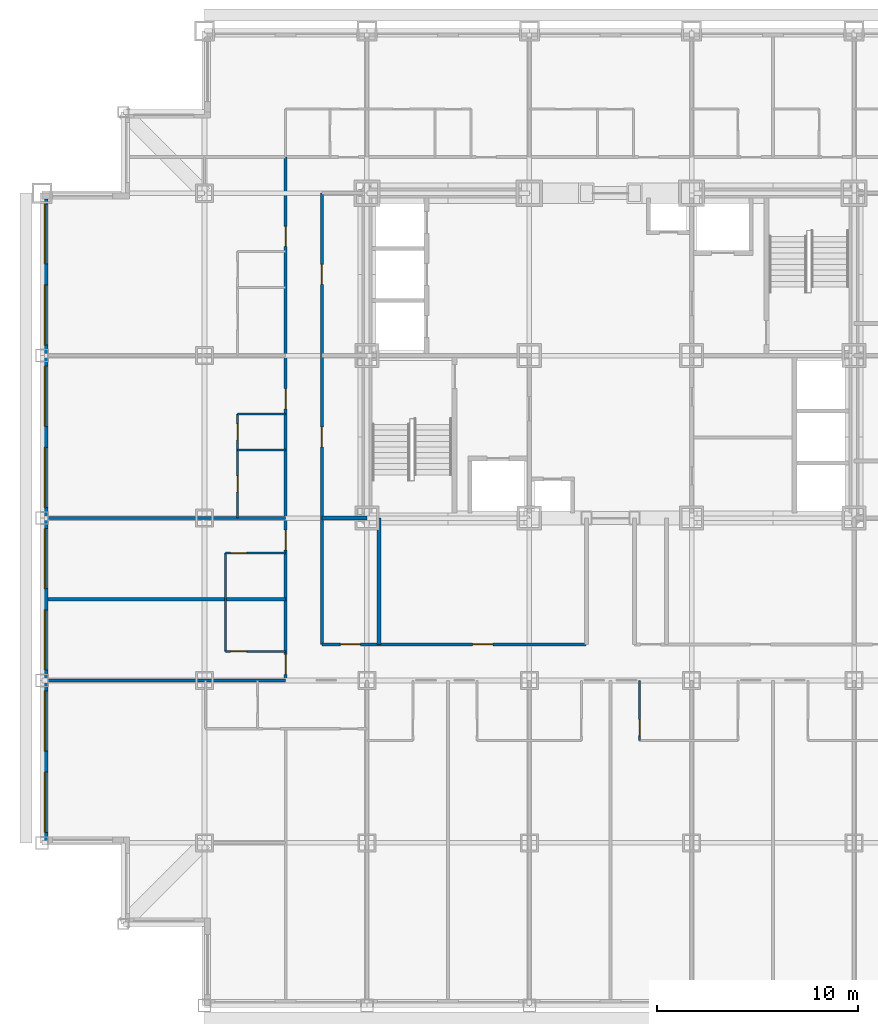
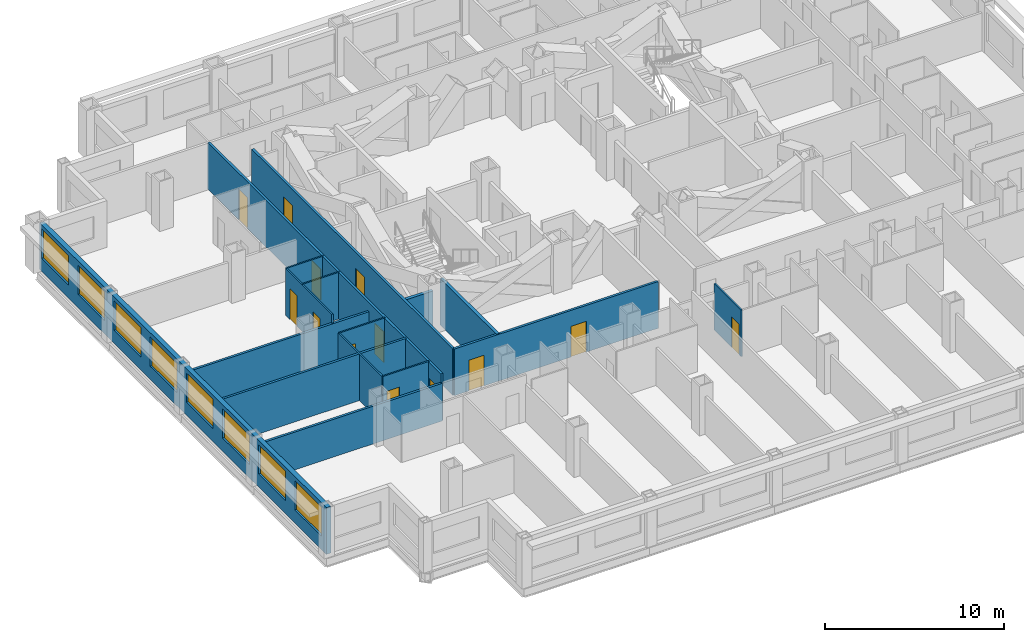
# One storey, part 4 of 11: 16 walls, 13 doors, 8 windows, 21 openings.
"""IFC4 building model written with IfcOpenShell, lengths in metres."""

from ifc_helpers import new_model, si_unit, direction, frame, frame_2d, origin, place, context, subcontext, project, spatial, rectangle, extrude, material, layer, layer_set, type_object, element, fill, save


model = new_model("IFC4")

# Units and contexts
model_context = context("Model", 3, precision=1e-05, world=origin(), true_north=direction((0.0, 1.0)))
body_context = subcontext(model_context, "Body", "Model", "MODEL_VIEW")
ifc_project = project(units=[si_unit("LENGTHUNIT", "METRE"), si_unit("AREAUNIT", "SQUARE_METRE"), si_unit("VOLUMEUNIT", "CUBIC_METRE"), si_unit("PLANEANGLEUNIT", "RADIAN"), si_unit("MASSUNIT", "GRAM", prefix="KILO")], contexts=[model_context])

# Site, building, storey
site_placement = place(None, origin())
site = spatial("IfcSite", under=ifc_project, at=site_placement, CompositionType="ELEMENT")
building_placement = place(site_placement, origin())
building = spatial("IfcBuilding", under=site, at=building_placement, Name="Kopane Lantern Tower", CompositionType="ELEMENT")
storey_placement = place(building_placement, frame((0.0, 0.0, 73.800048828125)))
storey = spatial("IfcBuildingStorey", under=building, at=storey_placement, Name="L18", CompositionType="ELEMENT", Elevation=73.800048828125)

# Wall, opening, door
ifc_material_1 = material(Name="Moisture-resistant board on steel studs", Category="steel")
ifc_layer_1 = layer(ifc_material_1, 0.10009765625)
ifc_layer_set_1 = layer_set([ifc_layer_1], Name="BATHROOM WALL 100")
wall_type_1 = type_object("IfcWallType", Name="BATHROOM WALL 100", PredefinedType="PARTITIONING", material=ifc_layer_set_1)
wall_1_placement = place(storey_placement, frame((29.800048828125, 16.199951171875, 0.0), z_axis=(0.0, 0.0, 1.0), x_axis=(0.0, -1.0, 0.0)))
wall_1 = element("IfcWall", 1, at=wall_1_placement, inside=storey, type_object=wall_type_1, Name="Bathroom Wall 100 L18", PredefinedType="PARTITIONING", context=body_context, shape_type="SweptSolid", body=[
    extrude(rectangle(XDim=3.0, YDim=0.10009765625, at=frame_2d((1.5, 0.0))), origin(), (0.0, 0.0, 1.0), 3.18994140625),
])
opening_1_placement = place(wall_1_placement, frame((1.949951171875, 0.0, 0.0)))
opening_1 = element("IfcOpeningElement", 2, at=opening_1_placement, cuts=wall_1, Name="Opening L18-019", PredefinedType="OPENING", context=body_context, shape_type="SweptSolid", body=[
    extrude(rectangle(XDim=0.800048828125, YDim=2.10009765625, at=frame_2d((0.39990234375, 1.050048828125))), frame((0.0, 0.06005859375, 0.0), z_axis=(0.0, -1.0, 0.0), x_axis=(1.0, 0.0, 0.0)), (0.0, 0.0, 1.0), 0.1201171875),
])
ifc_material_2 = material(Name="Timber door set", Category="wood")
door_type_1 = type_object("IfcDoorType", Name="DOOR D2 800x2100", OperationType="SINGLE_SWING_LEFT", PredefinedType="DOOR", material=ifc_material_2)
door_1_placement = place(opening_1_placement, origin())
door_1 = element("IfcDoor", 3, at=door_1_placement, inside=storey, type_object=door_type_1, Name="Door L18-019", OperationType="SINGLE_SWING_RIGHT", OverallHeight=2.10009765625, OverallWidth=0.800048828125, PredefinedType="DOOR", context=body_context, shape_type="SweptSolid", body=[
    extrude(rectangle(XDim=0.800048828125, YDim=2.10009765625, at=frame_2d((0.39990234375, 1.050048828125))), frame((0.0, 0.02490234375, 0.0), z_axis=(0.0, -1.0, 0.0), x_axis=(1.0, 0.0, 0.0)), (0.0, 0.0, 1.0), 0.050048828125),
])
fill(opening_1, door_1)

# Wall
wall_2_placement = place(storey_placement, frame((9.14990234375, 17.64990234375, 0.0), z_axis=(0.0, 0.0, 1.0), x_axis=(0.0, 1.0, 0.0)))
element("IfcWall", 4, at=wall_2_placement, inside=storey, type_object=wall_type_1, Name="Bathroom Wall 100 L18", PredefinedType="PARTITIONING", context=body_context, shape_type="SweptSolid", body=[
    extrude(rectangle(XDim=4.900146484375, YDim=0.10009765625, at=frame_2d((2.4501953125, 0.0))), origin(), (0.0, 0.0, 1.0), 3.18994140625),
])

# Wall, opening, door
wall_3_placement = place(storey_placement, frame((12.14990234375, 17.64990234375, 0.0), z_axis=(0.0, 0.0, 1.0), x_axis=(-1.0, 0.0, 0.0)))
wall_3 = element("IfcWall", 5, at=wall_3_placement, inside=storey, type_object=wall_type_1, Name="Bathroom Wall 100 L18", PredefinedType="PARTITIONING", context=body_context, shape_type="SweptSolid", body=[
    extrude(rectangle(XDim=3.0, YDim=0.10009765625, at=frame_2d((1.5, 0.0))), origin(), (0.0, 0.0, 1.0), 3.18994140625),
])
opening_2_placement = place(wall_3_placement, frame((1.949951171875, 0.0, 0.0)))
opening_2 = element("IfcOpeningElement", 6, at=opening_2_placement, cuts=wall_3, Name="Opening L18-039", PredefinedType="OPENING", context=body_context, shape_type="SweptSolid", body=[
    extrude(rectangle(XDim=0.800048828125, YDim=2.10009765625, at=frame_2d((0.39990234375, 1.050048828125))), frame((0.0, 0.06005859375, 0.0), z_axis=(0.0, -1.0, 0.0), x_axis=(1.0, 0.0, 0.0)), (0.0, 0.0, 1.0), 0.1201171875),
])
door_2_placement = place(opening_2_placement, origin())
door_2 = element("IfcDoor", 7, at=door_2_placement, inside=storey, type_object=door_type_1, Name="Door L18-039", OperationType="SINGLE_SWING_LEFT", OverallHeight=2.10009765625, OverallWidth=0.800048828125, PredefinedType="DOOR", context=body_context, shape_type="SweptSolid", body=[
    extrude(rectangle(XDim=0.800048828125, YDim=2.10009765625, at=frame_2d((0.39990234375, 1.050048828125))), frame((0.0, 0.02490234375, 0.0), z_axis=(0.0, -1.0, 0.0), x_axis=(1.0, 0.0, 0.0)), (0.0, 0.0, 1.0), 0.050048828125),
])
fill(opening_2, door_2)

wall_4_placement = place(storey_placement, frame((12.14990234375, 22.550048828125, 0.0), z_axis=(0.0, 0.0, 1.0), x_axis=(-1.0, 0.0, 0.0)))
wall_4 = element("IfcWall", 8, at=wall_4_placement, inside=storey, type_object=wall_type_1, Name="Bathroom Wall 100 L18", PredefinedType="PARTITIONING", context=body_context, shape_type="SweptSolid", body=[
    extrude(rectangle(XDim=3.0, YDim=0.10009765625, at=frame_2d((1.5, 0.0))), origin(), (0.0, 0.0, 1.0), 3.18994140625),
])
opening_3_placement = place(wall_4_placement, frame((1.949951171875, 0.0, 0.0)))
opening_3 = element("IfcOpeningElement", 9, at=opening_3_placement, cuts=wall_4, Name="Opening L18-041", PredefinedType="OPENING", context=body_context, shape_type="SweptSolid", body=[
    extrude(rectangle(XDim=0.800048828125, YDim=2.10009765625, at=frame_2d((0.39990234375, 1.050048828125))), frame((0.0, 0.06005859375, 0.0), z_axis=(0.0, -1.0, 0.0), x_axis=(1.0, 0.0, 0.0)), (0.0, 0.0, 1.0), 0.1201171875),
])
door_3_placement = place(opening_3_placement, origin())
door_3 = element("IfcDoor", 10, at=door_3_placement, inside=storey, type_object=door_type_1, Name="Door L18-041", OperationType="SINGLE_SWING_RIGHT", OverallHeight=2.10009765625, OverallWidth=0.800048828125, PredefinedType="DOOR", context=body_context, shape_type="SweptSolid", body=[
    extrude(rectangle(XDim=0.800048828125, YDim=2.10009765625, at=frame_2d((0.39990234375, 1.050048828125))), frame((0.0, 0.02490234375, 0.0), z_axis=(0.0, -1.0, 0.0), x_axis=(1.0, 0.0, 0.0)), (0.0, 0.0, 1.0), 0.050048828125),
])
fill(opening_3, door_3)

# Wall, openings, doors
wall_5_placement = place(storey_placement, frame((9.75, 24.300048828125, 0.0), z_axis=(0.0, 0.0, 1.0), x_axis=(0.0, 1.0, 0.0)))
wall_5 = element("IfcWall", 11, at=wall_5_placement, inside=storey, type_object=wall_type_1, Name="Bathroom Wall 100 L18", PredefinedType="PARTITIONING", context=body_context, shape_type="SweptSolid", body=[
    extrude(rectangle(XDim=5.199951171875, YDim=0.10009765625, at=frame_2d((2.60009765625, 0.0))), origin(), (0.0, 0.0, 1.0), 3.18994140625),
])
opening_4_placement = place(wall_5_placement, frame((1.300048828125, 0.0, 0.0)))
opening_4 = element("IfcOpeningElement", 12, at=opening_4_placement, cuts=wall_5, Name="Opening L18-043", PredefinedType="OPENING", context=body_context, shape_type="SweptSolid", body=[
    extrude(rectangle(XDim=0.800048828125, YDim=2.10009765625, at=frame_2d((0.39990234375, 1.050048828125))), frame((0.0, 0.06005859375, 0.0), z_axis=(0.0, -1.0, 0.0), x_axis=(1.0, 0.0, 0.0)), (0.0, 0.0, 1.0), 0.1201171875),
])
opening_5_placement = place(wall_5_placement, frame((3.89990234375, 0.0, 0.0)))
opening_5 = element("IfcOpeningElement", 13, at=opening_5_placement, cuts=wall_5, Name="Opening L18-044", PredefinedType="OPENING", context=body_context, shape_type="SweptSolid", body=[
    extrude(rectangle(XDim=0.800048828125, YDim=2.10009765625, at=frame_2d((0.39990234375, 1.050048828125))), frame((0.0, 0.06005859375, 0.0), z_axis=(0.0, -1.0, 0.0), x_axis=(1.0, 0.0, 0.0)), (0.0, 0.0, 1.0), 0.1201171875),
])
door_4_placement = place(opening_4_placement, origin())
door_4 = element("IfcDoor", 14, at=door_4_placement, inside=storey, type_object=door_type_1, Name="Door L18-043", OperationType="SINGLE_SWING_LEFT", OverallHeight=2.10009765625, OverallWidth=0.800048828125, PredefinedType="DOOR", context=body_context, shape_type="SweptSolid", body=[
    extrude(rectangle(XDim=0.800048828125, YDim=2.10009765625, at=frame_2d((0.39990234375, 1.050048828125))), frame((0.0, 0.02490234375, 0.0), z_axis=(0.0, -1.0, 0.0), x_axis=(1.0, 0.0, 0.0)), (0.0, 0.0, 1.0), 0.050048828125),
])
fill(opening_4, door_4)
door_5_placement = place(opening_5_placement, origin())
door_5 = element("IfcDoor", 15, at=door_5_placement, inside=storey, type_object=door_type_1, Name="Door L18-044", OperationType="SINGLE_SWING_LEFT", OverallHeight=2.10009765625, OverallWidth=0.800048828125, PredefinedType="DOOR", context=body_context, shape_type="SweptSolid", body=[
    extrude(rectangle(XDim=0.800048828125, YDim=2.10009765625, at=frame_2d((0.39990234375, 1.050048828125))), frame((0.0, 0.02490234375, 0.0), z_axis=(0.0, -1.0, 0.0), x_axis=(1.0, 0.0, 0.0)), (0.0, 0.0, 1.0), 0.050048828125),
])
fill(opening_5, door_5)

# Walls
for number, where, z_axis, x_axis, name in (
    (16, (12.14990234375, 27.699951171875, 0.0), (0.0, 0.0, 1.0), (-1.0, 0.0, 0.0), "Bathroom Wall 100 L18"),
    (17, (12.14990234375, 29.5, 0.0), (0.0, 0.0, 1.0), (-1.0, 0.0, 0.0), "Bathroom Wall 100 L18"),
):
    element("IfcWall", number, at=place(storey_placement, frame(where, z_axis=z_axis, x_axis=x_axis)), inside=storey, type_object=wall_type_1, Name=name, PredefinedType="PARTITIONING", context=body_context, shape_type="SweptSolid", body=[
        extrude(rectangle(XDim=2.39990234375, YDim=0.10009765625, at=frame_2d((1.199951171875, 0.0))), origin(), (0.0, 0.0, 1.0), 3.18994140625),
    ])

# Wall, openings, doors
ifc_material_3 = material(Name="Gypsum board on steel studs", Category="steel")
ifc_layer_2 = layer(ifc_material_3, 0.14990234375)
ifc_layer_set_2 = layer_set([ifc_layer_2], Name="CORRIDOR WALL 150 EI 60")
wall_type_2 = type_object("IfcWallType", Name="CORRIDOR WALL 150 EI 60", PredefinedType="PARTITIONING", material=ifc_layer_set_2)
wall_6_placement = place(storey_placement, frame((12.14990234375, 16.199951171875, 0.0), z_axis=(0.0, 0.0, 1.0), x_axis=(0.0, 1.0, 0.0)))
wall_6 = element("IfcWall", 18, at=wall_6_placement, inside=storey, type_object=wall_type_2, Name="Corridor Wall 150 Ei 60 L18", PredefinedType="PARTITIONING", context=body_context, shape_type="SweptSolid", body=[
    extrude(rectangle(XDim=26.10009765625, YDim=0.14990234375, at=frame_2d((13.050048828125, 0.0))), origin(), (0.0, 0.0, 1.0), 3.18994140625),
])
opening_6_placement = place(wall_6_placement, frame((0.300048828125, 0.0, 0.0)))
opening_6 = element("IfcOpeningElement", 19, at=opening_6_placement, cuts=wall_6, Name="Opening L18-040", PredefinedType="OPENING", context=body_context, shape_type="SweptSolid", body=[
    extrude(rectangle(XDim=1.0, YDim=2.10009765625, at=frame_2d((0.5, 1.050048828125))), frame((0.0, 0.0849609375, 0.0), z_axis=(0.0, -1.0, 0.0), x_axis=(1.0, 0.0, 0.0)), (0.0, 0.0, 1.0), 0.169921875),
])
opening_7_placement = place(wall_6_placement, frame((6.5, 0.0, 0.0)))
opening_7 = element("IfcOpeningElement", 20, at=opening_7_placement, cuts=wall_6, Name="Opening L18-042", PredefinedType="OPENING", context=body_context, shape_type="SweptSolid", body=[
    extrude(rectangle(XDim=1.0, YDim=2.10009765625, at=frame_2d((0.5, 1.050048828125))), frame((0.0, 0.0849609375, 0.0), z_axis=(0.0, -1.0, 0.0), x_axis=(1.0, 0.0, 0.0)), (0.0, 0.0, 1.0), 0.169921875),
])
opening_8_placement = place(wall_6_placement, frame((13.550048828125, 0.0, 0.0)))
opening_8 = element("IfcOpeningElement", 21, at=opening_8_placement, cuts=wall_6, Name="Opening L18-045", PredefinedType="OPENING", context=body_context, shape_type="SweptSolid", body=[
    extrude(rectangle(XDim=1.0, YDim=2.10009765625, at=frame_2d((0.5, 1.050048828125))), frame((0.0, 0.0849609375, 0.0), z_axis=(0.0, -1.0, 0.0), x_axis=(1.0, 0.0, 0.0)), (0.0, 0.0, 1.0), 0.169921875),
])
opening_9_placement = place(wall_6_placement, frame((21.64990234375, 0.0, 0.0)))
opening_9 = element("IfcOpeningElement", 22, at=opening_9_placement, cuts=wall_6, Name="Opening L18-048", PredefinedType="OPENING", context=body_context, shape_type="SweptSolid", body=[
    extrude(rectangle(XDim=1.0, YDim=2.10009765625, at=frame_2d((0.5, 1.050048828125))), frame((0.0, 0.0849609375, 0.0), z_axis=(0.0, -1.0, 0.0), x_axis=(1.0, 0.0, 0.0)), (0.0, 0.0, 1.0), 0.169921875),
])
ifc_material_4 = material(Name="Steel door set", Category="steel")
door_type_2 = type_object("IfcDoorType", Name="DOOR D1 1000x2100 FD30S", OperationType="SINGLE_SWING_LEFT", PredefinedType="DOOR", material=ifc_material_4)
door_6_placement = place(opening_6_placement, origin())
door_6 = element("IfcDoor", 23, at=door_6_placement, inside=storey, type_object=door_type_2, Name="Door L18-040", OperationType="SINGLE_SWING_RIGHT", OverallHeight=2.10009765625, OverallWidth=1.0, PredefinedType="DOOR", context=body_context, shape_type="SweptSolid", body=[
    extrude(rectangle(XDim=1.0, YDim=2.10009765625, at=frame_2d((0.5, 1.050048828125))), frame((0.0, 0.02490234375, 0.0), z_axis=(0.0, -1.0, 0.0), x_axis=(1.0, 0.0, 0.0)), (0.0, 0.0, 1.0), 0.050048828125),
])
fill(opening_6, door_6)
door_7_placement = place(opening_7_placement, origin())
door_7 = element("IfcDoor", 24, at=door_7_placement, inside=storey, type_object=door_type_2, Name="Door L18-042", OperationType="SINGLE_SWING_LEFT", OverallHeight=2.10009765625, OverallWidth=1.0, PredefinedType="DOOR", context=body_context, shape_type="SweptSolid", body=[
    extrude(rectangle(XDim=1.0, YDim=2.10009765625, at=frame_2d((0.5, 1.050048828125))), frame((0.0, 0.02490234375, 0.0), z_axis=(0.0, -1.0, 0.0), x_axis=(1.0, 0.0, 0.0)), (0.0, 0.0, 1.0), 0.050048828125),
])
fill(opening_7, door_7)
door_8_placement = place(opening_8_placement, origin())
door_8 = element("IfcDoor", 25, at=door_8_placement, inside=storey, type_object=door_type_2, Name="Door L18-045", OperationType="SINGLE_SWING_LEFT", OverallHeight=2.10009765625, OverallWidth=1.0, PredefinedType="DOOR", context=body_context, shape_type="SweptSolid", body=[
    extrude(rectangle(XDim=1.0, YDim=2.10009765625, at=frame_2d((0.5, 1.050048828125))), frame((0.0, 0.02490234375, 0.0), z_axis=(0.0, -1.0, 0.0), x_axis=(1.0, 0.0, 0.0)), (0.0, 0.0, 1.0), 0.050048828125),
])
fill(opening_8, door_8)
door_9_placement = place(opening_9_placement, origin())
door_9 = element("IfcDoor", 26, at=door_9_placement, inside=storey, type_object=door_type_2, Name="Door L18-048", OperationType="SINGLE_SWING_LEFT", OverallHeight=2.10009765625, OverallWidth=1.0, PredefinedType="DOOR", context=body_context, shape_type="SweptSolid", body=[
    extrude(rectangle(XDim=1.0, YDim=2.10009765625, at=frame_2d((0.5, 1.050048828125))), frame((0.0, 0.02490234375, 0.0), z_axis=(0.0, -1.0, 0.0), x_axis=(1.0, 0.0, 0.0)), (0.0, 0.0, 1.0), 0.050048828125),
])
fill(opening_9, door_9)

wall_7_placement = place(storey_placement, frame((13.949951171875, 40.5, 0.0), z_axis=(0.0, 0.0, 1.0), x_axis=(0.0, -1.0, 0.0)))
wall_7 = element("IfcWall", 27, at=wall_7_placement, inside=storey, type_object=wall_type_2, Name="Corridor Wall 150 Ei 60 L18", PredefinedType="PARTITIONING", context=body_context, shape_type="SweptSolid", body=[
    extrude(rectangle(XDim=22.5, YDim=0.14990234375, at=frame_2d((11.25, 0.0))), origin(), (0.0, 0.0, 1.0), 3.18994140625),
])
opening_10_placement = place(wall_7_placement, frame((11.64990234375, 0.0, 0.0)))
opening_10 = element("IfcOpeningElement", 28, at=opening_10_placement, cuts=wall_7, Name="Opening L18-001", PredefinedType="OPENING", context=body_context, shape_type="SweptSolid", body=[
    extrude(rectangle(XDim=1.0, YDim=2.10009765625, at=frame_2d((0.5, 1.050048828125))), frame((0.0, 0.0849609375, 0.0), z_axis=(0.0, -1.0, 0.0), x_axis=(1.0, 0.0, 0.0)), (0.0, 0.0, 1.0), 0.169921875),
])
opening_11_placement = place(wall_7_placement, frame((3.550048828125, 0.0, 0.0)))
opening_11 = element("IfcOpeningElement", 29, at=opening_11_placement, cuts=wall_7, Name="Opening L18-002", PredefinedType="OPENING", context=body_context, shape_type="SweptSolid", body=[
    extrude(rectangle(XDim=1.0, YDim=2.10009765625, at=frame_2d((0.5, 1.050048828125))), frame((0.0, 0.0849609375, 0.0), z_axis=(0.0, -1.0, 0.0), x_axis=(1.0, 0.0, 0.0)), (0.0, 0.0, 1.0), 0.169921875),
])
ifc_material_5 = material(Name="Steel door set", Category="steel")
door_type_3 = type_object("IfcDoorType", Name="DOOR D5 1000x2100 FD60", OperationType="SINGLE_SWING_LEFT", PredefinedType="DOOR", material=ifc_material_5)
door_10_placement = place(opening_10_placement, origin())
door_10 = element("IfcDoor", 30, at=door_10_placement, inside=storey, type_object=door_type_3, Name="Door L18-001", OperationType="SINGLE_SWING_RIGHT", OverallHeight=2.10009765625, OverallWidth=1.0, PredefinedType="DOOR", context=body_context, shape_type="SweptSolid", body=[
    extrude(rectangle(XDim=1.0, YDim=2.10009765625, at=frame_2d((0.5, 1.050048828125))), frame((0.0, 0.02490234375, 0.0), z_axis=(0.0, -1.0, 0.0), x_axis=(1.0, 0.0, 0.0)), (0.0, 0.0, 1.0), 0.050048828125),
])
fill(opening_10, door_10)
door_11_placement = place(opening_11_placement, origin())
door_11 = element("IfcDoor", 31, at=door_11_placement, inside=storey, type_object=door_type_3, Name="Door L18-002", OperationType="SINGLE_SWING_LEFT", OverallHeight=2.10009765625, OverallWidth=1.0, PredefinedType="DOOR", context=body_context, shape_type="SweptSolid", body=[
    extrude(rectangle(XDim=1.0, YDim=2.10009765625, at=frame_2d((0.5, 1.050048828125))), frame((0.0, 0.02490234375, 0.0), z_axis=(0.0, -1.0, 0.0), x_axis=(1.0, 0.0, 0.0)), (0.0, 0.0, 1.0), 0.050048828125),
])
fill(opening_11, door_11)

wall_8_placement = place(storey_placement, frame((13.949951171875, 18.0, 0.0), z_axis=(0.0, 0.0, 1.0), x_axis=(1.0, 0.0, 0.0)))
wall_8 = element("IfcWall", 32, at=wall_8_placement, inside=storey, type_object=wall_type_2, Name="Corridor Wall 150 Ei 60 L18", PredefinedType="PARTITIONING", context=body_context, shape_type="SweptSolid", body=[
    extrude(rectangle(XDim=13.18994140625, YDim=0.14990234375, at=frame_2d((6.594970703125, 0.0))), origin(), (0.0, 0.0, 1.0), 3.18994140625),
])
opening_12_placement = place(wall_8_placement, frame((0.9287109375, 0.0, 0.0)))
opening_12 = element("IfcOpeningElement", 33, at=opening_12_placement, cuts=wall_8, Name="Opening L18-007", PredefinedType="OPENING", context=body_context, shape_type="SweptSolid", body=[
    extrude(rectangle(XDim=1.0, YDim=2.10009765625, at=frame_2d((0.5, 1.050048828125))), frame((0.0, 0.0849609375, 0.0), z_axis=(0.0, -1.0, 0.0), x_axis=(1.0, 0.0, 0.0)), (0.0, 0.0, 1.0), 0.169921875),
])
opening_13_placement = place(wall_8_placement, frame((7.528564453125, 0.0, 0.0)))
opening_13 = element("IfcOpeningElement", 34, at=opening_13_placement, cuts=wall_8, Name="Opening L18-008", PredefinedType="OPENING", context=body_context, shape_type="SweptSolid", body=[
    extrude(rectangle(XDim=1.0, YDim=2.10009765625, at=frame_2d((0.5, 1.050048828125))), frame((0.0, 0.0849609375, 0.0), z_axis=(0.0, -1.0, 0.0), x_axis=(1.0, 0.0, 0.0)), (0.0, 0.0, 1.0), 0.169921875),
])
door_12_placement = place(opening_12_placement, origin())
door_12 = element("IfcDoor", 35, at=door_12_placement, inside=storey, type_object=door_type_3, Name="Door L18-007", OperationType="SINGLE_SWING_LEFT", OverallHeight=2.10009765625, OverallWidth=1.0, PredefinedType="DOOR", context=body_context, shape_type="SweptSolid", body=[
    extrude(rectangle(XDim=1.0, YDim=2.10009765625, at=frame_2d((0.5, 1.050048828125))), frame((0.0, 0.02490234375, 0.0), z_axis=(0.0, -1.0, 0.0), x_axis=(1.0, 0.0, 0.0)), (0.0, 0.0, 1.0), 0.050048828125),
])
fill(opening_12, door_12)
door_13_placement = place(opening_13_placement, origin())
door_13 = element("IfcDoor", 36, at=door_13_placement, inside=storey, type_object=door_type_3, Name="Door L18-008", OperationType="SINGLE_SWING_RIGHT", OverallHeight=2.10009765625, OverallWidth=1.0, PredefinedType="DOOR", context=body_context, shape_type="SweptSolid", body=[
    extrude(rectangle(XDim=1.0, YDim=2.10009765625, at=frame_2d((0.5, 1.050048828125))), frame((0.0, 0.02490234375, 0.0), z_axis=(0.0, -1.0, 0.0), x_axis=(1.0, 0.0, 0.0)), (0.0, 0.0, 1.0), 0.050048828125),
])
fill(opening_13, door_13)

# Walls
ifc_material_6 = material(Name="Gypsum board on steel studs", Category="steel")
ifc_layer_3 = layer(ifc_material_6, 0.14990234375)
ifc_layer_set_3 = layer_set([ifc_layer_3], Name="DEMISING WALL 150 EI 60")
wall_type_3 = type_object("IfcWallType", Name="DEMISING WALL 150 EI 60", PredefinedType="PARTITIONING", material=ifc_layer_set_3)
wall_9_placement = place(storey_placement, frame((12.14990234375, 20.25, 0.0), z_axis=(0.0, 0.0, 1.0), x_axis=(-1.0, 0.0, 0.0)))
element("IfcWall", 37, at=wall_9_placement, inside=storey, type_object=wall_type_3, Name="Demising Wall 150 Ei 60 L18", PredefinedType="PARTITIONING", context=body_context, shape_type="SweptSolid", body=[
    extrude(rectangle(XDim=11.849853515625, YDim=0.14990234375, at=frame_2d((5.9248046875, 0.0))), origin(), (0.0, 0.0, 1.0), 3.18994140625),
])
for number, where, z_axis, x_axis, name in (
    (38, (12.14990234375, 24.300048828125, 0.0), (0.0, 0.0, 1.0), (-1.0, 0.0, 0.0), "Demising Wall 150 Ei 60 L18"),
    (39, (0.300048828125, 16.199951171875, 0.0), (0.0, 0.0, 1.0), (1.0, 0.0, 0.0), "Demising Wall 150 Ei 60 L18"),
):
    element("IfcWall", number, at=place(storey_placement, frame(where, z_axis=z_axis, x_axis=x_axis)), inside=storey, type_object=wall_type_3, Name=name, PredefinedType="PARTITIONING", context=body_context, shape_type="SweptSolid", body=[
        extrude(rectangle(XDim=11.849853515625, YDim=0.14990234375, at=frame_2d((5.9248046875, 0.0))), origin(), (0.0, 0.0, 1.0), 2.57763671875),
    ])

# Wall, openings, windows
ifc_material_7 = material(Name="Terracotta rainscreen on light steel framing", Category="masonry")
ifc_layer_4 = layer(ifc_material_7, 0.300048828125)
ifc_layer_set_4 = layer_set([ifc_layer_4], Name="EXTERNAL WALL EW1 300 TERRACOTTA")
wall_type_4 = type_object("IfcWallType", Name="EXTERNAL WALL EW1 300 TERRACOTTA", PredefinedType="SOLIDWALL", material=ifc_layer_set_4)
wall_10_placement = place(storey_placement, frame((0.14990234375, 40.199951171875, 0.0), z_axis=(0.0, 0.0, 1.0), x_axis=(0.0, -1.0, 0.0)))
wall_10 = element("IfcWall", 40, at=wall_10_placement, inside=storey, type_object=wall_type_4, Name="External wall W L18", PredefinedType="SOLIDWALL", context=body_context, shape_type="SweptSolid", body=[
    extrude(rectangle(XDim=32.099853515625, YDim=0.300048828125, at=frame_2d((16.0498046875, 0.0))), origin(), (0.0, 0.0, 1.0), 3.18994140625),
])
opening_14_placement = place(wall_10_placement, frame((0.22509765625, 0.0, 0.89990234375)))
opening_14 = element("IfcOpeningElement", 41, at=opening_14_placement, cuts=wall_10, Name="Opening WR300200", PredefinedType="OPENING", context=body_context, shape_type="SweptSolid", body=[
    extrude(rectangle(XDim=3.0, YDim=2.0, at=frame_2d((1.5, 1.0))), frame((0.0, 0.159912109375, 0.0), z_axis=(0.0, -1.0, 0.0), x_axis=(1.0, 0.0, 0.0)), (0.0, 0.0, 1.0), 0.320068359375),
])
opening_15_placement = place(wall_10_placement, frame((4.27490234375, 0.0, 0.89990234375)))
opening_15 = element("IfcOpeningElement", 42, at=opening_15_placement, cuts=wall_10, Name="Opening WR300200", PredefinedType="OPENING", context=body_context, shape_type="SweptSolid", body=[
    extrude(rectangle(XDim=3.0, YDim=2.0, at=frame_2d((1.5, 1.0))), frame((0.0, 0.159912109375, 0.0), z_axis=(0.0, -1.0, 0.0), x_axis=(1.0, 0.0, 0.0)), (0.0, 0.0, 1.0), 0.320068359375),
])
opening_16_placement = place(wall_10_placement, frame((8.324951171875, 0.0, 0.89990234375)))
opening_16 = element("IfcOpeningElement", 43, at=opening_16_placement, cuts=wall_10, Name="Opening WR300200", PredefinedType="OPENING", context=body_context, shape_type="SweptSolid", body=[
    extrude(rectangle(XDim=3.0, YDim=2.0, at=frame_2d((1.5, 1.0))), frame((0.0, 0.159912109375, 0.0), z_axis=(0.0, -1.0, 0.0), x_axis=(1.0, 0.0, 0.0)), (0.0, 0.0, 1.0), 0.320068359375),
])
opening_17_placement = place(wall_10_placement, frame((12.375, 0.0, 0.89990234375)))
opening_17 = element("IfcOpeningElement", 44, at=opening_17_placement, cuts=wall_10, Name="Opening WR300200", PredefinedType="OPENING", context=body_context, shape_type="SweptSolid", body=[
    extrude(rectangle(XDim=3.0, YDim=2.0, at=frame_2d((1.5, 1.0))), frame((0.0, 0.159912109375, 0.0), z_axis=(0.0, -1.0, 0.0), x_axis=(1.0, 0.0, 0.0)), (0.0, 0.0, 1.0), 0.320068359375),
])
opening_18_placement = place(wall_10_placement, frame((16.425048828125, 0.0, 0.89990234375)))
opening_18 = element("IfcOpeningElement", 45, at=opening_18_placement, cuts=wall_10, Name="Opening WR300200", PredefinedType="OPENING", context=body_context, shape_type="SweptSolid", body=[
    extrude(rectangle(XDim=3.0, YDim=2.0, at=frame_2d((1.5, 1.0))), frame((0.0, 0.159912109375, 0.0), z_axis=(0.0, -1.0, 0.0), x_axis=(1.0, 0.0, 0.0)), (0.0, 0.0, 1.0), 0.320068359375),
])
opening_19_placement = place(wall_10_placement, frame((20.47509765625, 0.0, 0.89990234375)))
opening_19 = element("IfcOpeningElement", 46, at=opening_19_placement, cuts=wall_10, Name="Opening WR300200", PredefinedType="OPENING", context=body_context, shape_type="SweptSolid", body=[
    extrude(rectangle(XDim=3.0, YDim=2.0, at=frame_2d((1.5, 1.0))), frame((0.0, 0.159912109375, 0.0), z_axis=(0.0, -1.0, 0.0), x_axis=(1.0, 0.0, 0.0)), (0.0, 0.0, 1.0), 0.320068359375),
])
opening_20_placement = place(wall_10_placement, frame((24.52490234375, 0.0, 0.89990234375)))
opening_20 = element("IfcOpeningElement", 47, at=opening_20_placement, cuts=wall_10, Name="Opening WR300200", PredefinedType="OPENING", context=body_context, shape_type="SweptSolid", body=[
    extrude(rectangle(XDim=3.0, YDim=2.0, at=frame_2d((1.5, 1.0))), frame((0.0, 0.159912109375, 0.0), z_axis=(0.0, -1.0, 0.0), x_axis=(1.0, 0.0, 0.0)), (0.0, 0.0, 1.0), 0.320068359375),
])
opening_21_placement = place(wall_10_placement, frame((28.574951171875, 0.0, 0.89990234375)))
opening_21 = element("IfcOpeningElement", 48, at=opening_21_placement, cuts=wall_10, Name="Opening WR300200", PredefinedType="OPENING", context=body_context, shape_type="SweptSolid", body=[
    extrude(rectangle(XDim=3.0, YDim=2.0, at=frame_2d((1.5, 1.0))), frame((0.0, 0.159912109375, 0.0), z_axis=(0.0, -1.0, 0.0), x_axis=(1.0, 0.0, 0.0)), (0.0, 0.0, 1.0), 0.320068359375),
])
ifc_material_8 = material(Name="Aluminium and clear glass", Category="aluminium")
window_type = type_object("IfcWindowType", Name="RIBBON WINDOW WR300200 3000x2000", PartitioningType="SINGLE_PANEL", PredefinedType="WINDOW", material=ifc_material_8)
window_1_placement = place(opening_14_placement, origin())
window_1 = element("IfcWindow", 49, at=window_1_placement, inside=storey, type_object=window_type, Name="Window W L18", OverallHeight=2.0, OverallWidth=3.0, PartitioningType="SINGLE_PANEL", PredefinedType="WINDOW", context=body_context, shape_type="SweptSolid", body=[
    extrude(rectangle(XDim=3.0, YDim=2.0, at=frame_2d((1.5, 1.0))), frame((0.0, 0.030029296875, 0.0), z_axis=(0.0, -1.0, 0.0), x_axis=(1.0, 0.0, 0.0)), (0.0, 0.0, 1.0), 0.06005859375),
])
fill(opening_14, window_1)
window_2_placement = place(opening_15_placement, origin())
window_2 = element("IfcWindow", 50, at=window_2_placement, inside=storey, type_object=window_type, Name="Window W L18", OverallHeight=2.0, OverallWidth=3.0, PartitioningType="SINGLE_PANEL", PredefinedType="WINDOW", context=body_context, shape_type="SweptSolid", body=[
    extrude(rectangle(XDim=3.0, YDim=2.0, at=frame_2d((1.5, 1.0))), frame((0.0, 0.030029296875, 0.0), z_axis=(0.0, -1.0, 0.0), x_axis=(1.0, 0.0, 0.0)), (0.0, 0.0, 1.0), 0.06005859375),
])
fill(opening_15, window_2)
window_3_placement = place(opening_16_placement, origin())
window_3 = element("IfcWindow", 51, at=window_3_placement, inside=storey, type_object=window_type, Name="Window W L18", OverallHeight=2.0, OverallWidth=3.0, PartitioningType="SINGLE_PANEL", PredefinedType="WINDOW", context=body_context, shape_type="SweptSolid", body=[
    extrude(rectangle(XDim=3.0, YDim=2.0, at=frame_2d((1.5, 1.0))), frame((0.0, 0.030029296875, 0.0), z_axis=(0.0, -1.0, 0.0), x_axis=(1.0, 0.0, 0.0)), (0.0, 0.0, 1.0), 0.06005859375),
])
fill(opening_16, window_3)
window_4_placement = place(opening_17_placement, origin())
window_4 = element("IfcWindow", 52, at=window_4_placement, inside=storey, type_object=window_type, Name="Window W L18", OverallHeight=2.0, OverallWidth=3.0, PartitioningType="SINGLE_PANEL", PredefinedType="WINDOW", context=body_context, shape_type="SweptSolid", body=[
    extrude(rectangle(XDim=3.0, YDim=2.0, at=frame_2d((1.5, 1.0))), frame((0.0, 0.030029296875, 0.0), z_axis=(0.0, -1.0, 0.0), x_axis=(1.0, 0.0, 0.0)), (0.0, 0.0, 1.0), 0.06005859375),
])
fill(opening_17, window_4)
window_5_placement = place(opening_18_placement, origin())
window_5 = element("IfcWindow", 53, at=window_5_placement, inside=storey, type_object=window_type, Name="Window W L18", OverallHeight=2.0, OverallWidth=3.0, PartitioningType="SINGLE_PANEL", PredefinedType="WINDOW", context=body_context, shape_type="SweptSolid", body=[
    extrude(rectangle(XDim=3.0, YDim=2.0, at=frame_2d((1.5, 1.0))), frame((0.0, 0.030029296875, 0.0), z_axis=(0.0, -1.0, 0.0), x_axis=(1.0, 0.0, 0.0)), (0.0, 0.0, 1.0), 0.06005859375),
])
fill(opening_18, window_5)
window_6_placement = place(opening_19_placement, origin())
window_6 = element("IfcWindow", 54, at=window_6_placement, inside=storey, type_object=window_type, Name="Window W L18", OverallHeight=2.0, OverallWidth=3.0, PartitioningType="SINGLE_PANEL", PredefinedType="WINDOW", context=body_context, shape_type="SweptSolid", body=[
    extrude(rectangle(XDim=3.0, YDim=2.0, at=frame_2d((1.5, 1.0))), frame((0.0, 0.030029296875, 0.0), z_axis=(0.0, -1.0, 0.0), x_axis=(1.0, 0.0, 0.0)), (0.0, 0.0, 1.0), 0.06005859375),
])
fill(opening_19, window_6)
window_7_placement = place(opening_20_placement, origin())
window_7 = element("IfcWindow", 55, at=window_7_placement, inside=storey, type_object=window_type, Name="Window W L18", OverallHeight=2.0, OverallWidth=3.0, PartitioningType="SINGLE_PANEL", PredefinedType="WINDOW", context=body_context, shape_type="SweptSolid", body=[
    extrude(rectangle(XDim=3.0, YDim=2.0, at=frame_2d((1.5, 1.0))), frame((0.0, 0.030029296875, 0.0), z_axis=(0.0, -1.0, 0.0), x_axis=(1.0, 0.0, 0.0)), (0.0, 0.0, 1.0), 0.06005859375),
])
fill(opening_20, window_7)
window_8_placement = place(opening_21_placement, origin())
window_8 = element("IfcWindow", 56, at=window_8_placement, inside=storey, type_object=window_type, Name="Window W L18", OverallHeight=2.0, OverallWidth=3.0, PartitioningType="SINGLE_PANEL", PredefinedType="WINDOW", context=body_context, shape_type="SweptSolid", body=[
    extrude(rectangle(XDim=3.0, YDim=2.0, at=frame_2d((1.5, 1.0))), frame((0.0, 0.030029296875, 0.0), z_axis=(0.0, -1.0, 0.0), x_axis=(1.0, 0.0, 0.0)), (0.0, 0.0, 1.0), 0.06005859375),
])
fill(opening_21, window_8)

# Walls
ifc_material_9 = material(Name="Concrete masonry", Category="masonry")
ifc_layer_5 = layer(ifc_material_9, 0.199951171875)
ifc_layer_set_5 = layer_set([ifc_layer_5], Name="PLANT ROOM WALL 200 EI 120")
wall_type_5 = type_object("IfcWallType", Name="PLANT ROOM WALL 200 EI 120", PredefinedType="SOLIDWALL", material=ifc_layer_set_5)
wall_11_placement = place(storey_placement, frame((16.80712890625, 18.0, 0.0), z_axis=(0.0, 0.0, 1.0), x_axis=(0.0, 1.0, 0.0)))
element("IfcWall", 57, at=wall_11_placement, inside=storey, type_object=wall_type_5, Name="Plant Room Wall 200 Ei 120 L18", PredefinedType="SOLIDWALL", context=body_context, shape_type="SweptSolid", body=[
    extrude(rectangle(XDim=6.300048828125, YDim=0.199951171875, at=frame_2d((3.14990234375, 0.0))), origin(), (0.0, 0.0, 1.0), 3.18994140625),
])
wall_12_placement = place(storey_placement, frame((13.949951171875, 24.300048828125, 0.0), z_axis=(0.0, 0.0, 1.0), x_axis=(1.0, 0.0, 0.0)))
element("IfcWall", 58, at=wall_12_placement, inside=storey, type_object=wall_type_5, Name="Plant Room Wall 200 Ei 120 L18", PredefinedType="SOLIDWALL", context=body_context, shape_type="SweptSolid", body=[
    extrude(rectangle(XDim=2.25, YDim=0.199951171875, at=frame_2d((1.125, 0.0))), origin(), (0.0, 0.0, 1.0), 2.57763671875),
])

save(model, "model.ifc")
